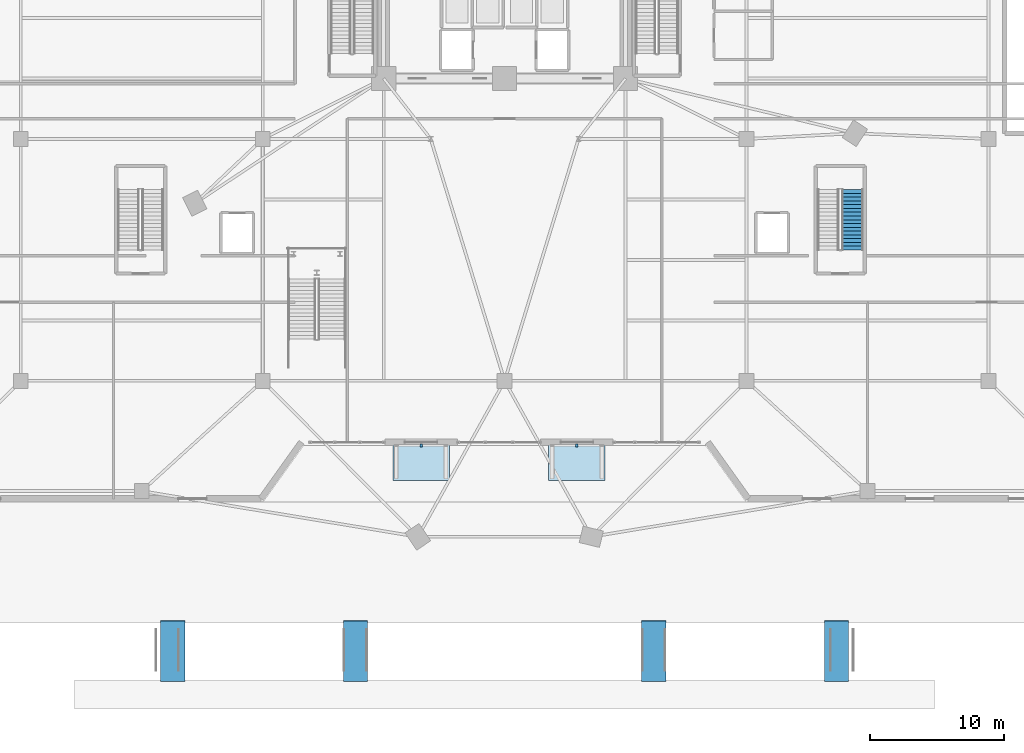
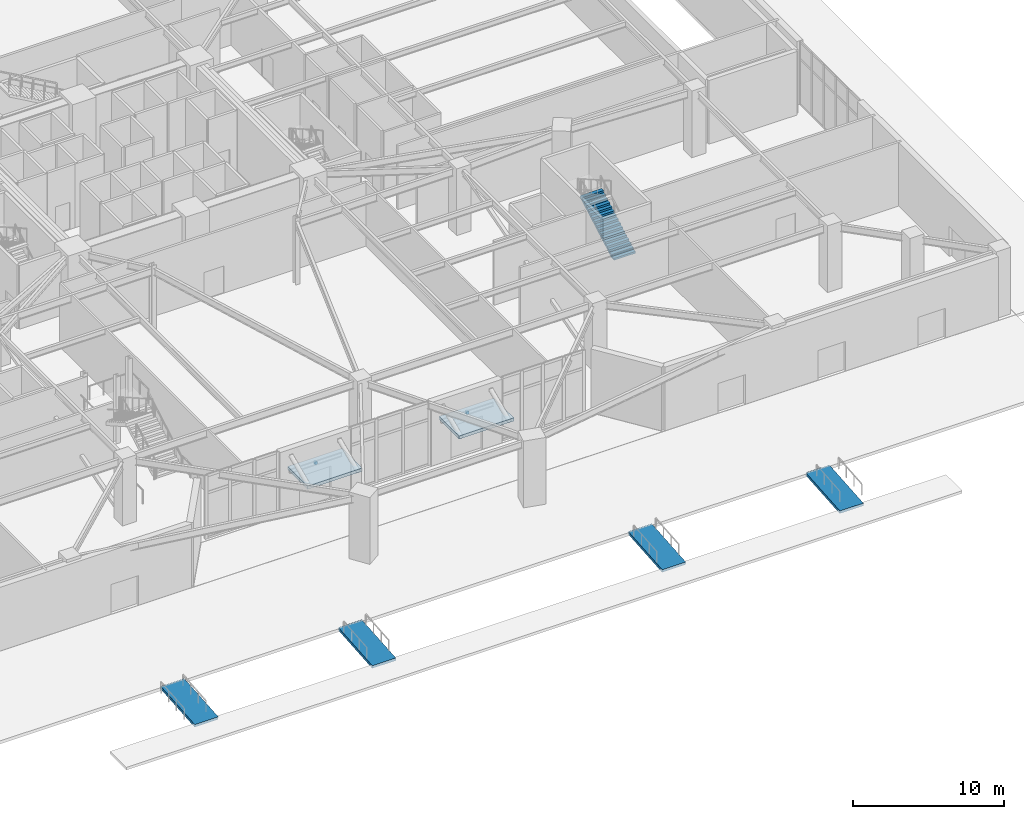
# One storey, part 23 of 30: 4 ramp flights, 2 discrete accessories, 2 roofs, 1 stair flight, 1 element without a shape of its own.
"""IFC4 building model written with IfcOpenShell, lengths in metres."""

from ifc_helpers import new_model, si_unit, direction, frame, origin, origin_2d, place, context, subcontext, project, spatial, polyline, rectangle, outline, extrude, source, transform, mapped, material, layer, layer_set, type_object, element, aggregate, save


model = new_model("IFC4")

# Units and contexts
model_context = context("Model", 3, precision=1e-05, world=origin(), true_north=direction((0.0, 1.0)))
body_context = subcontext(model_context, "Body", "Model", "MODEL_VIEW")
ifc_project = project(units=[si_unit("LENGTHUNIT", "METRE"), si_unit("AREAUNIT", "SQUARE_METRE"), si_unit("VOLUMEUNIT", "CUBIC_METRE"), si_unit("PLANEANGLEUNIT", "RADIAN"), si_unit("MASSUNIT", "GRAM", prefix="KILO")], contexts=[model_context])

# Site, building, storey
site_placement = place(None, origin())
site = spatial("IfcSite", under=ifc_project, at=site_placement, CompositionType="ELEMENT")
building_placement = place(site_placement, origin())
building = spatial("IfcBuilding", under=site, at=building_placement, Name="Liaohun Quay Tower", CompositionType="ELEMENT")
storey_placement = place(building_placement, origin())
storey = spatial("IfcBuildingStorey", under=building, at=storey_placement, Name="L01", CompositionType="ELEMENT", Elevation=0.0)

# Stair, stair flight
ifc_material_1 = material(Name="Concrete C45", Category="concrete")
stair_type = type_object("IfcStairType", Name="STR-POD-EXIT", PredefinedType="TWO_STRAIGHT_RUN_STAIR", material=ifc_material_1)
stair_placement = place(storey_placement, origin())
stair = element("IfcStair", 1, at=stair_placement, inside=storey, type_object=stair_type, Name="L01 Podium Smokeproof Exit Stair ST-P2", PredefinedType="TWO_STRAIGHT_RUN_STAIR")
stair_flight_type = type_object("IfcStairFlightType", Name="FLT-POD-165", PredefinedType="STRAIGHT", material=ifc_material_1)
stair_flight_placement = place(storey_placement, frame((85.875, 33.75, 0.0), z_axis=(0.0, 0.0, 1.0), x_axis=(0.0, 1.0, 0.0)))
stair_flight = element("IfcStairFlight", 2, at=stair_flight_placement, type_object=stair_flight_type, Name="ST-P2 flight 1", NumberOfRisers=17, NumberOfTreads=16, PredefinedType="STRAIGHT", RiserHeight=0.158823529, TreadLength=0.28, context=body_context, shape_type="SweptSolid", body=[
    extrude(outline(polyline([(0.0, 0.0), (0.0, 0.158935546875), (0.280029296875, 0.158935546875), (0.280029296875, 0.317626953125), (0.56005859375, 0.317626953125), (0.56005859375, 0.4765625), (0.840087890625, 0.4765625), (0.840087890625, 0.63525390625), (1.1201171875, 0.63525390625), (1.1201171875, 0.794189453125), (1.39990234375, 0.794189453125), (1.39990234375, 0.952880859375), (1.679931640625, 0.952880859375), (1.679931640625, 1.11181640625), (1.9599609375, 1.11181640625), (1.9599609375, 1.2705078125), (2.239990234375, 1.2705078125), (2.239990234375, 1.429443359375), (2.52001953125, 1.429443359375), (2.52001953125, 1.588134765625), (2.800048828125, 1.588134765625), (2.800048828125, 1.7470703125), (3.080078125, 1.7470703125), (3.080078125, 1.90576171875), (3.360107421875, 1.90576171875), (3.360107421875, 2.064697265625), (3.639892578125, 2.064697265625), (3.639892578125, 2.2236328125), (3.919921875, 2.2236328125), (3.919921875, 2.38232421875), (4.199951171875, 2.38232421875), (4.199951171875, 2.541259765625), (4.47998046875, 2.541259765625), (4.47998046875, 2.699951171875), (4.47998046875, 2.368896484375), (0.3037109375, 0.0), (0.0, 0.0)])), frame((0.0, 0.824951171875, 0.0), z_axis=(0.0, -1.0, 0.0), x_axis=(1.0, 0.0, 0.0)), (0.0, 0.0, 1.0), 1.64990234375),
])
aggregate(stair, [stair_flight])

# Ramp flights
ifc_layer_1 = layer(ifc_material_1, 0.219970703125, Name="Concrete C45", Category="concrete")
ifc_layer_set_1 = layer_set([ifc_layer_1], Name="Concrete C45")
ramp_flight_type = type_object("IfcRampFlightType", Name="RMP-ACC-P", PredefinedType="STRAIGHT", material=ifc_layer_set_1)
for number, where, z_axis, x_axis, name in (
    (3, (34.39990234375, 1.6201171875, -0.360107421875), (0.0, -0.079422059702, 0.996841078825), (1.0, 0.0, 0.0), "Waterfront Accessible Promenade Ramp RA-01"),
    (4, (48.0, 1.6201171875, -0.360107421875), (0.0, -0.079422059702, 0.996841078825), (1.0, 0.0, 0.0), "Waterfront Accessible Promenade Ramp RA-02"),
    (5, (70.199951171875, 1.6201171875, -0.360107421875), (0.0, -0.079422059702, 0.996841078825), (1.0, 0.0, 0.0), "Waterfront Accessible Promenade Ramp RA-03"),
    (6, (83.800048828125, 1.6201171875, -0.360107421875), (0.0, -0.079422059702, 0.996841078825), (1.0, 0.0, 0.0), "Waterfront Accessible Promenade Ramp RA-04"),
):
    element("IfcRampFlight", number, at=place(storey_placement, frame(where, z_axis=z_axis, x_axis=x_axis)), inside=storey, type_object=ramp_flight_type, Name=name, PredefinedType="STRAIGHT", context=body_context, shape_type="SweptSolid", body=[
        extrude(outline(polyline([(0.0, 0.0), (1.800048828125, 0.0), (1.800048828125, 4.5340982495959254), (0.0, 4.5340982495959254), (0.0, 0.0)])), origin(), (0.0, 0.0, -1.0), 0.219970703125),
    ])

# Roofs
ifc_material_2 = material(Name="Precast concrete C50", Category="concrete")
ifc_layer_2 = layer(ifc_material_2, 0.260009765625, Name="Precast concrete C50", Category="concrete")
ifc_layer_set_2 = layer_set([ifc_layer_2], Name="Precast concrete C50")
roof_type = type_object("IfcRoofType", Name="ROF-POD-CAN", PredefinedType="FLAT_ROOF", material=ifc_layer_set_2)
roof_1_placement = place(storey_placement, frame((0.0, 0.0, 3.550048828125)))
element("IfcRoof", 7, at=roof_1_placement, inside=storey, type_object=roof_type, Name="L01 Entrance Canopy E", PredefinedType="FLAT_ROOF", context=body_context, shape_type="SweptSolid", body=[
    extrude(outline(polyline([(51.681884765625, 16.60009765625), (55.882080078125, 16.60009765625), (55.882080078125, 19.25), (51.681884765625, 19.25), (51.681884765625, 16.60009765625)])), origin(), (0.0, 0.0, 1.0), 0.260009765625),
])
roof_2_placement = place(storey_placement, frame((0.0, 0.0, 3.550048828125)))
element("IfcRoof", 8, at=roof_2_placement, inside=storey, type_object=roof_type, Name="L01 Entrance Canopy W", PredefinedType="FLAT_ROOF", context=body_context, shape_type="SweptSolid", body=[
    extrude(outline(polyline([(63.281982421875, 16.60009765625), (67.48193359375, 16.60009765625), (67.48193359375, 19.25), (63.281982421875, 19.25), (63.281982421875, 16.60009765625)])), origin(), (0.0, 0.0, 1.0), 0.260009765625),
])

# Discrete accessories
ifc_material_3 = material(Name="Steel Q355D", Category="steel")
discrete_accessory_type = type_object("IfcDiscreteAccessoryType", Name="ACC-BRK-STL", PredefinedType="BRACKET", material=ifc_material_3)
shared_shape = source(origin(), body_context, "Body", "SweptSolid", [
    extrude(rectangle(XDim=0.179931640625, YDim=0.239990234375, at=origin_2d()), origin(), (0.0, 0.0, 1.0), 0.219970703125),
])
for number, where, z_axis, x_axis, name in (
    (9, (53.781982421875, 19.199951171875, 3.31982421875), (0.0, 0.0, 1.0), (1.0, 0.0, 0.0), "L01 Entrance Canopy E Cleat Bracket"),
    (10, (65.382080078125, 19.199951171875, 3.31982421875), (0.0, 0.0, 1.0), (1.0, 0.0, 0.0), "L01 Entrance Canopy W Cleat Bracket"),
):
    element("IfcDiscreteAccessory", number, at=place(storey_placement, frame(where, z_axis=z_axis, x_axis=x_axis)), inside=storey, type_object=discrete_accessory_type, Name=name, PredefinedType="BRACKET", context=body_context, shape_type="MappedRepresentation", body=[
        mapped(shared_shape, transform((0.0, 0.0, 0.0), x_axis=(1.0, 0.0, 0.0), y_axis=(0.0, 1.0, 0.0), z_axis=(0.0, 0.0, 1.0), scale=1.0)),
    ])

save(model, "model.ifc")
